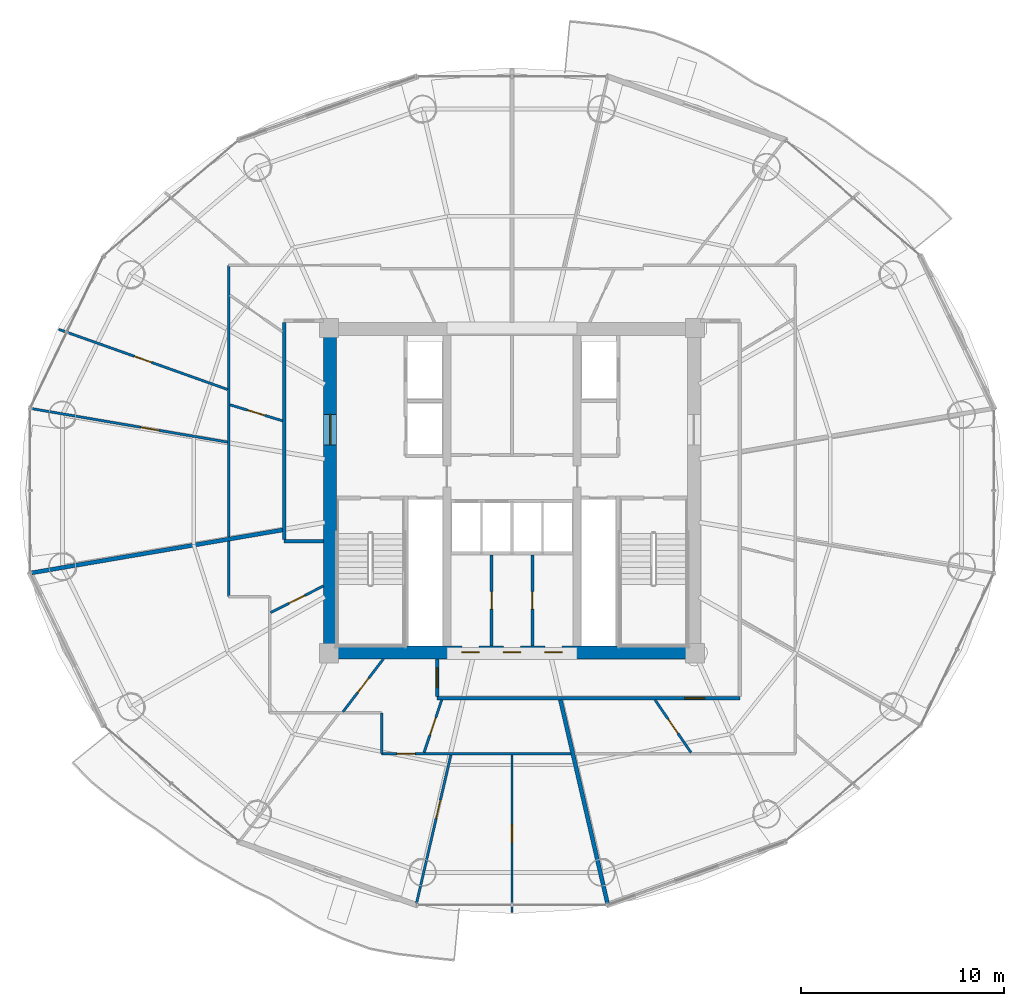
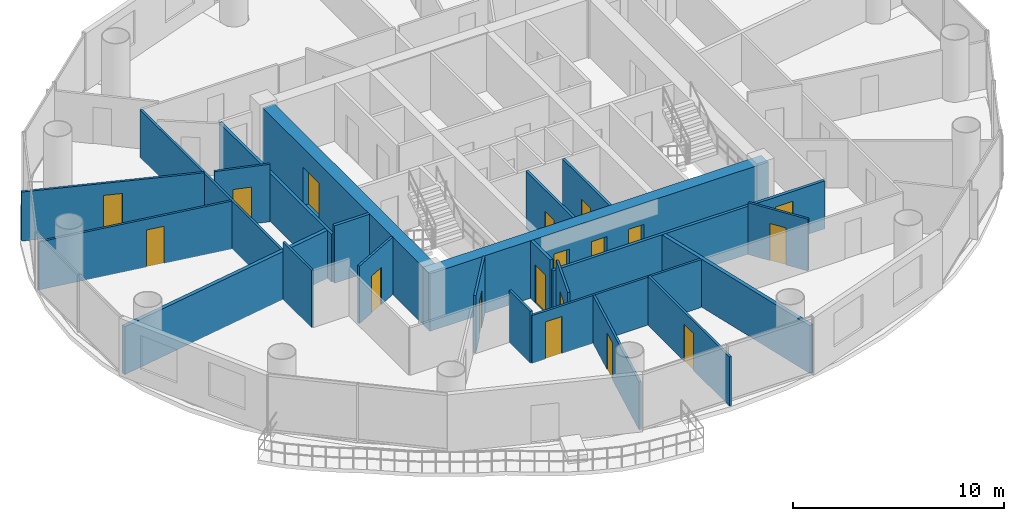
# One storey, part 20 of 26: 23 walls, 18 doors, 18 openings.
"""IFC4 building model written with IfcOpenShell, lengths in metres."""

from ifc_helpers import new_model, si_unit, direction, frame, frame_2d, origin, place, context, subcontext, project, spatial, rectangle, extrude, source, transform, mapped, material, layer, layer_set, type_object, element, fill, save


model = new_model("IFC4")

# Units and contexts
model_context = context("Model", 3, precision=1e-05, world=origin(), true_north=direction((-0.2419218956, 0.970295726276)))
body_context = subcontext(model_context, "Body", "Model", "MODEL_VIEW")
ifc_project = project(units=[si_unit("LENGTHUNIT", "METRE"), si_unit("AREAUNIT", "SQUARE_METRE"), si_unit("VOLUMEUNIT", "CUBIC_METRE"), si_unit("PLANEANGLEUNIT", "RADIAN"), si_unit("MASSUNIT", "GRAM", prefix="KILO")], contexts=[model_context])

# Site, building, storey
site_placement = place(None, origin())
site = spatial("IfcSite", under=ifc_project, at=site_placement, CompositionType="ELEMENT")
building_placement = place(site_placement, origin())
building = spatial("IfcBuilding", under=site, at=building_placement, Name="Cobrevalo Terracotta Tower", CompositionType="ELEMENT")
storey_placement = place(building_placement, frame((0.0, 0.0, 142.60009765625)))
storey = spatial("IfcBuildingStorey", under=building, at=storey_placement, Name="L37", CompositionType="ELEMENT", Elevation=142.60009765625)

# Wall, openings, doors
ifc_material_1 = material(Name="Concrete C55", Category="concrete")
ifc_layer_1 = layer(ifc_material_1, 0.64990234375)
ifc_layer_set_1 = layer_set([ifc_layer_1], Name="Concrete C55")
wall_type_1 = type_object("IfcWallType", Name="Core shear wall 650 mm Concrete C55", PredefinedType="SHEAR", material=ifc_layer_set_1)
wall_1_placement = place(storey_placement, frame((28.72509765625, 18.85009765625, 0.0), z_axis=(0.0, 0.0, 1.0), x_axis=(1.0, 0.0, 0.0)))
wall_1 = element("IfcWall", 1, at=wall_1_placement, inside=storey, type_object=wall_type_1, Name="L37 south core shear wall", PredefinedType="SHEAR", context=body_context, shape_type="SweptSolid", body=[
    extrude(rectangle(XDim=18.5498046875, YDim=0.64990234375, at=frame_2d((9.27490234375, 0.0))), origin(), (0.0, 0.0, 1.0), 3.329833984375),
])
opening_1_placement = place(wall_1_placement, frame((6.81005859375, 0.0, 0.0)))
opening_1 = element("IfcOpeningElement", 2, at=opening_1_placement, cuts=wall_1, Name="Opening ID-22", PredefinedType="OPENING", context=body_context, shape_type="SweptSolid", body=[
    extrude(rectangle(XDim=0.85009765625, YDim=2.10009765625, at=frame_2d((0.425048828125, 1.050048828125))), frame((0.0, 0.3349609375, 0.0), z_axis=(0.0, -1.0, 0.0), x_axis=(1.0, 0.0, 0.0)), (0.0, 0.0, 1.0), 0.669921875),
])
opening_2_placement = place(wall_1_placement, frame((8.85009765625, 0.0, 0.0)))
opening_2 = element("IfcOpeningElement", 3, at=opening_2_placement, cuts=wall_1, Name="Opening ID-22", PredefinedType="OPENING", context=body_context, shape_type="SweptSolid", body=[
    extrude(rectangle(XDim=0.85009765625, YDim=2.10009765625, at=frame_2d((0.425048828125, 1.050048828125))), frame((0.0, 0.3349609375, 0.0), z_axis=(0.0, -1.0, 0.0), x_axis=(1.0, 0.0, 0.0)), (0.0, 0.0, 1.0), 0.669921875),
])
opening_3_placement = place(wall_1_placement, frame((10.889892578125, 0.0, 0.0)))
opening_3 = element("IfcOpeningElement", 4, at=opening_3_placement, cuts=wall_1, Name="Opening ID-22", PredefinedType="OPENING", context=body_context, shape_type="SweptSolid", body=[
    extrude(rectangle(XDim=0.85009765625, YDim=2.10009765625, at=frame_2d((0.425048828125, 1.050048828125))), frame((0.0, 0.3349609375, 0.0), z_axis=(0.0, -1.0, 0.0), x_axis=(1.0, 0.0, 0.0)), (0.0, 0.0, 1.0), 0.669921875),
])
ifc_material_2 = material(Name="Powder-coated steel", Category="steel")
door_type_1 = type_object("IfcDoorType", Name="Riser shaft & meter closet fire access door 850x2100 EI 60", OperationType="NOTDEFINED", PredefinedType="DOOR", material=ifc_material_2)
shared_shape_1 = source(origin(), body_context, "Body", "SweptSolid", [
    extrude(rectangle(XDim=0.85009765625, YDim=2.10009765625, at=frame_2d((0.425048828125, 1.050048828125))), frame((0.0, 0.02490234375, 0.0), z_axis=(0.0, -1.0, 0.0), x_axis=(1.0, 0.0, 0.0)), (0.0, 0.0, 1.0), 0.050048828125),
])
door_1_placement = place(opening_1_placement, origin())
door_1 = element("IfcDoor", 5, at=door_1_placement, inside=storey, type_object=door_type_1, Name="L37 core south plant door HVAC Supply Air Plant", OperationType="SINGLE_SWING_RIGHT", OverallHeight=2.10009765625, OverallWidth=0.85009765625, PredefinedType="DOOR", context=body_context, shape_type="MappedRepresentation", body=[
    mapped(shared_shape_1, transform((0.0, 0.0, 0.0), scale=1.0)),
])
fill(opening_1, door_1)
door_2_placement = place(opening_2_placement, origin())
door_2 = element("IfcDoor", 6, at=door_2_placement, inside=storey, type_object=door_type_1, Name="L37 core south plant door Refuse Chute Store Room", OperationType="SINGLE_SWING_RIGHT", OverallHeight=2.10009765625, OverallWidth=0.85009765625, PredefinedType="DOOR", context=body_context, shape_type="MappedRepresentation", body=[
    mapped(shared_shape_1, transform((0.0, 0.0, 0.0), scale=1.0)),
])
fill(opening_2, door_2)
door_3_placement = place(opening_3_placement, origin())
door_3 = element("IfcDoor", 7, at=door_3_placement, inside=storey, type_object=door_type_1, Name="L37 core south plant door Hydronic Pump Manifold Plant", OperationType="SINGLE_SWING_RIGHT", OverallHeight=2.10009765625, OverallWidth=0.85009765625, PredefinedType="DOOR", context=body_context, shape_type="MappedRepresentation", body=[
    mapped(shared_shape_1, transform((0.0, 0.0, 0.0), scale=1.0)),
])
fill(opening_3, door_3)

# Wall, opening, door
wall_2_placement = place(storey_placement, frame((29.050048828125, 19.175048828125, 0.0), z_axis=(0.0, 0.0, 1.0), x_axis=(0.0, 1.0, 0.0)))
wall_2 = element("IfcWall", 8, at=wall_2_placement, inside=storey, type_object=wall_type_1, Name="L37 west core shear wall", PredefinedType="SHEAR", context=body_context, shape_type="SweptSolid", body=[
    extrude(rectangle(XDim=15.25, YDim=0.64990234375, at=frame_2d((7.625, 0.0))), origin(), (0.0, 0.0, 1.0), 3.329833984375),
])
opening_4_placement = place(wall_2_placement, frame((9.875, 0.0, 0.0)))
opening_4 = element("IfcOpeningElement", 9, at=opening_4_placement, cuts=wall_2, Name="Opening ID-14", PredefinedType="OPENING", context=body_context, shape_type="SweptSolid", body=[
    extrude(rectangle(XDim=1.5, YDim=2.199951171875, at=frame_2d((0.75, 1.10009765625))), frame((0.0, 0.3349609375, 0.0), z_axis=(0.0, -1.0, 0.0), x_axis=(1.0, 0.0, 0.0)), (0.0, 0.0, 1.0), 0.669921875),
])
ifc_material_3 = material(Name="Galvanized fire-rated steel", Category="steel")
door_type_2 = type_object("IfcDoorType", Name="Core cross-lobby double fire door 1500x2200 EI 90", OperationType="NOTDEFINED", PredefinedType="DOOR", material=ifc_material_3)
shared_shape_2 = source(origin(), body_context, "Body", "SweptSolid", [
    extrude(rectangle(XDim=1.5, YDim=2.199951171875, at=frame_2d((0.75, 1.10009765625))), frame((0.0, 0.02490234375, 0.0), z_axis=(0.0, -1.0, 0.0), x_axis=(1.0, 0.0, 0.0)), (0.0, 0.0, 1.0), 0.050048828125),
])
door_4_placement = place(opening_4_placement, origin())
door_4 = element("IfcDoor", 10, at=door_4_placement, inside=storey, type_object=door_type_2, Name="L37 west firefighting lobby entrance door", OperationType="DOUBLE_DOOR_SINGLE_SWING", OverallHeight=2.199951171875, OverallWidth=1.5, PredefinedType="DOOR", context=body_context, shape_type="MappedRepresentation", body=[
    mapped(shared_shape_2, transform((0.0, 0.0, 0.0), scale=1.0)),
])
fill(opening_4, door_4)

# Walls
ifc_material_4 = material(Name="Gypsum board on steel stud", Category="steel")
ifc_layer_2 = layer(ifc_material_4, 0.159912109375)
ifc_layer_set_2 = layer_set([ifc_layer_2], Name="Gypsum board on steel stud")
wall_type_2 = type_object("IfcWallType", Name="Fire-rated corridor acoustic partition wall 160 mm", PredefinedType="PARTITIONING", material=ifc_layer_set_2)
wall_3_placement = place(storey_placement, frame((26.794921875, 24.39990234375, 0.0), z_axis=(0.0, 0.0, 1.0), x_axis=(0.0, 1.0, 0.0)))
element("IfcWall", 11, at=wall_3_placement, inside=storey, type_object=wall_type_2, Name="L37 interior partition IW-L37-COR-W", PredefinedType="PARTITIONING", context=body_context, shape_type="SweptSolid", body=[
    extrude(rectangle(XDim=10.675048828125, YDim=0.159912109375, at=frame_2d((5.33740234375, 0.0))), origin(), (0.0, 0.0, 1.0), 2.77587890625),
])
wall_4_placement = place(storey_placement, frame((26.794921875, 24.320068359375, 0.0), z_axis=(0.0, 0.0, 1.0), x_axis=(1.0, 0.0, 0.0)))
element("IfcWall", 12, at=wall_4_placement, inside=storey, type_object=wall_type_2, Name="L37 interior partition IW-L37-COR-WS-CAP", PredefinedType="PARTITIONING", context=body_context, shape_type="SweptSolid", body=[
    extrude(rectangle(XDim=1.93017578125, YDim=0.159912109375, at=frame_2d((0.965087890625, 0.0))), origin(), (0.0, 0.0, 1.0), 3.329833984375),
])

# Wall, opening, door
wall_5_placement = place(storey_placement, frame((34.320068359375, 16.594970703125, 0.0), z_axis=(0.0, 0.0, 1.0), x_axis=(1.0, 0.0, 0.0)))
wall_5 = element("IfcWall", 13, at=wall_5_placement, inside=storey, type_object=wall_type_2, Name="L37 interior partition IW-L37-COR-S", PredefinedType="PARTITIONING", context=body_context, shape_type="SweptSolid", body=[
    extrude(rectangle(XDim=14.885009765625, YDim=0.159912109375, at=frame_2d((7.4423828125, 0.0))), origin(), (0.0, 0.0, 1.0), 2.77587890625),
])
opening_5_placement = place(wall_5_placement, frame((12.17431640625, 0.0, 0.0)))
opening_5 = element("IfcOpeningElement", 14, at=opening_5_placement, cuts=wall_5, Name="Opening ID-05", PredefinedType="OPENING", context=body_context, shape_type="SweptSolid", body=[
    extrude(rectangle(XDim=0.97998046875, YDim=2.199951171875, at=frame_2d((0.489990234375, 1.10009765625))), frame((0.0, 0.08984375, 0.0), z_axis=(0.0, -1.0, 0.0), x_axis=(1.0, 0.0, 0.0)), (0.0, 0.0, 1.0), 0.179931640625),
])
ifc_material_5 = material(Name="Solid hardwood timber", Category="wood")
door_type_3 = type_object("IfcDoorType", Name="Residence entrance fire-rated acoustic timber door 980x2200 EI 60", OperationType="NOTDEFINED", PredefinedType="DOOR", material=ifc_material_5)
shared_shape_3 = source(origin(), body_context, "Body", "SweptSolid", [
    extrude(rectangle(XDim=0.97998046875, YDim=2.199951171875, at=frame_2d((0.489990234375, 1.10009765625))), frame((0.0, 0.02490234375, 0.0), z_axis=(0.0, -1.0, 0.0), x_axis=(1.0, 0.0, 0.0)), (0.0, 0.0, 1.0), 0.050048828125),
])
door_5_placement = place(opening_5_placement, origin())
door_5 = element("IfcDoor", 15, at=door_5_placement, inside=storey, type_object=door_type_3, Name="Flat L37D fire-rated apartment entrance door", OperationType="SINGLE_SWING_RIGHT", OverallHeight=2.199951171875, OverallWidth=0.97998046875, PredefinedType="DOOR", context=body_context, shape_type="MappedRepresentation", body=[
    mapped(shared_shape_3, transform((0.0, 0.0, 0.0), scale=1.0)),
])
fill(opening_5, door_5)

wall_6_placement = place(storey_placement, frame((34.320068359375, 16.675048828125, 0.0), z_axis=(0.0, 0.0, 1.0), x_axis=(0.0, 1.0, 0.0)))
wall_6 = element("IfcWall", 16, at=wall_6_placement, inside=storey, type_object=wall_type_2, Name="L37 interior partition IW-L37-COR-SW-CAP", PredefinedType="PARTITIONING", context=body_context, shape_type="SweptSolid", body=[
    extrude(rectangle(XDim=1.849853515625, YDim=0.159912109375, at=frame_2d((0.9248046875, 0.0))), origin(), (0.0, 0.0, 1.0), 3.329833984375),
])
opening_6_placement = place(wall_6_placement, frame((0.43505859375, 0.0, 0.0)))
opening_6 = element("IfcOpeningElement", 17, at=opening_6_placement, cuts=wall_6, Name="Opening ID-05", PredefinedType="OPENING", context=body_context, shape_type="SweptSolid", body=[
    extrude(rectangle(XDim=0.97998046875, YDim=2.199951171875, at=frame_2d((0.489990234375, 1.10009765625))), frame((0.0, 0.08984375, 0.0), z_axis=(0.0, -1.0, 0.0), x_axis=(1.0, 0.0, 0.0)), (0.0, 0.0, 1.0), 0.179931640625),
])
door_6_placement = place(opening_6_placement, origin())
door_6 = element("IfcDoor", 18, at=door_6_placement, inside=storey, type_object=door_type_3, Name="Flat L37C fire-rated apartment entrance door", OperationType="SINGLE_SWING_RIGHT", OverallHeight=2.199951171875, OverallWidth=0.97998046875, PredefinedType="DOOR", context=body_context, shape_type="MappedRepresentation", body=[
    mapped(shared_shape_3, transform((0.0, 0.0, 0.0), scale=1.0)),
])
fill(opening_6, door_6)

# Walls
ifc_material_6 = material(Name="Autoclaved aerated concrete block", Category="concrete")
ifc_layer_3 = layer(ifc_material_6, 0.199951171875)
ifc_layer_set_3 = layer_set([ifc_layer_3], Name="Autoclaved aerated concrete block")
wall_type_3 = type_object("IfcWallType", Name="Fire-rated stair, shaft & demising masonry wall 200 mm", PredefinedType="PARTITIONING", material=ifc_layer_set_3)
wall_7_placement = place(storey_placement, frame((26.715087890625, 24.87060546875, 0.0), z_axis=(0.0, 0.0, 1.0), x_axis=(-0.985700184834, -0.168508592117, 0.0)))
element("IfcWall", 19, at=wall_7_placement, inside=storey, type_object=wall_type_3, Name="L37 interior partition IW-L37-DEM-3", PredefinedType="PARTITIONING", context=body_context, shape_type="SweptSolid", body=[
    extrude(rectangle(XDim=12.519287109375, YDim=0.199951171875, at=frame_2d((6.259765625, 0.0))), origin(), (0.0, 0.0, 1.0), 2.77587890625),
])
wall_8_placement = place(storey_placement, frame((40.380126953125, 16.514892578125, 0.0), z_axis=(0.0, 0.0, 1.0), x_axis=(0.225473598067, -0.974249278457, 0.0)))
element("IfcWall", 20, at=wall_8_placement, inside=storey, type_object=wall_type_3, Name="L37 interior partition IW-L37-DEM-4", PredefinedType="PARTITIONING", context=body_context, shape_type="SweptSolid", body=[
    extrude(rectangle(XDim=10.27783203125, YDim=0.199951171875, at=frame_2d((5.138916015625, 0.0))), origin(), (0.0, 0.0, 1.0), 2.77587890625),
])

# Wall, opening, door
ifc_layer_4 = layer(ifc_material_6, 0.139892578125)
ifc_layer_set_4 = layer_set([ifc_layer_4], Name="Autoclaved aerated concrete block")
wall_type_4 = type_object("IfcWallType", Name="Moisture-resistant wet-room & core service partition 140 mm", PredefinedType="PARTITIONING", material=ifc_layer_set_4)
wall_9_placement = place(storey_placement, frame((37.0, 19.175048828125, 0.0), z_axis=(0.0, 0.0, 1.0), x_axis=(0.0, 1.0, 0.0)))
wall_9 = element("IfcWall", 21, at=wall_9_placement, inside=storey, type_object=wall_type_4, Name="L37 interior partition IW-L37-KVS-V1", PredefinedType="PARTITIONING", context=body_context, shape_type="SweptSolid", body=[
    extrude(rectangle(XDim=4.46484375, YDim=0.139892578125, at=frame_2d((2.232421875, 0.0))), origin(), (0.0, 0.0, 1.0), 3.329833984375),
])
opening_7_placement = place(wall_9_placement, frame((1.8076171875, 0.0, 0.0)))
opening_7 = element("IfcOpeningElement", 22, at=opening_7_placement, cuts=wall_9, Name="Opening ID-22", PredefinedType="OPENING", context=body_context, shape_type="SweptSolid", body=[
    extrude(rectangle(XDim=0.85009765625, YDim=2.10009765625, at=frame_2d((0.425048828125, 1.050048828125))), frame((0.0, 0.080078125, 0.0), z_axis=(0.0, -1.0, 0.0), x_axis=(1.0, 0.0, 0.0)), (0.0, 0.0, 1.0), 0.159912109375),
])
door_7_placement = place(opening_7_placement, origin())
door_7 = element("IfcDoor", 23, at=door_7_placement, inside=storey, type_object=door_type_1, Name="L37 core KVS-V1 inner door", OperationType="SINGLE_SWING_LEFT", OverallHeight=2.10009765625, OverallWidth=0.85009765625, PredefinedType="DOOR", context=body_context, shape_type="MappedRepresentation", body=[
    mapped(shared_shape_1, transform((0.0, 0.0, 0.0), scale=1.0)),
])
fill(opening_7, door_7)

wall_10_placement = place(storey_placement, frame((39.0, 19.175048828125, 0.0), z_axis=(0.0, 0.0, 1.0), x_axis=(0.0, 1.0, 0.0)))
wall_10 = element("IfcWall", 24, at=wall_10_placement, inside=storey, type_object=wall_type_4, Name="L37 interior partition IW-L37-KVS-V2", PredefinedType="PARTITIONING", context=body_context, shape_type="SweptSolid", body=[
    extrude(rectangle(XDim=4.46484375, YDim=0.139892578125, at=frame_2d((2.232421875, 0.0))), origin(), (0.0, 0.0, 1.0), 3.329833984375),
])
opening_8_placement = place(wall_10_placement, frame((1.8076171875, 0.0, 0.0)))
opening_8 = element("IfcOpeningElement", 25, at=opening_8_placement, cuts=wall_10, Name="Opening ID-22", PredefinedType="OPENING", context=body_context, shape_type="SweptSolid", body=[
    extrude(rectangle(XDim=0.85009765625, YDim=2.10009765625, at=frame_2d((0.425048828125, 1.050048828125))), frame((0.0, 0.080078125, 0.0), z_axis=(0.0, -1.0, 0.0), x_axis=(1.0, 0.0, 0.0)), (0.0, 0.0, 1.0), 0.159912109375),
])
door_8_placement = place(opening_8_placement, origin())
door_8 = element("IfcDoor", 26, at=door_8_placement, inside=storey, type_object=door_type_1, Name="L37 core KVS-V2 inner door", OperationType="SINGLE_SWING_LEFT", OverallHeight=2.10009765625, OverallWidth=0.85009765625, PredefinedType="DOOR", context=body_context, shape_type="MappedRepresentation", body=[
    mapped(shared_shape_1, transform((0.0, 0.0, 0.0), scale=1.0)),
])
fill(opening_8, door_8)

# Wall
ifc_layer_5 = layer(ifc_material_4, 0.1201171875)
ifc_layer_set_5 = layer_set([ifc_layer_5], Name="Gypsum board on steel stud")
wall_type_5 = type_object("IfcWallType", Name="Residential internal acoustic stud partition 120 mm", PredefinedType="PARTITIONING", material=ifc_layer_set_5)
wall_11_placement = place(storey_placement, frame((24.06494140625, 24.51953125, 0.0), z_axis=(0.0, 0.0, 1.0), x_axis=(0.0, 1.0, 0.0)))
element("IfcWall", 27, at=wall_11_placement, inside=storey, type_object=wall_type_5, Name="L37 interior partition IW-L37-U2-RING0_0", PredefinedType="PARTITIONING", context=body_context, shape_type="SweptSolid", body=[
    extrude(rectangle(XDim=13.365478515625, YDim=0.1201171875, at=frame_2d((6.6826171875, 0.0))), origin(), (0.0, 0.0, 1.0), 2.77587890625),
])

# Wall, opening, door
wall_12_placement = place(storey_placement, frame((24.006591796875, 31.781982421875, 0.0), z_axis=(0.0, 0.0, 1.0), x_axis=(-0.942077868165, 0.335394231187, 0.0)))
wall_12 = element("IfcWall", 28, at=wall_12_placement, inside=storey, type_object=wall_type_5, Name="L37 interior partition IW-L37-U2-ORAD2", PredefinedType="PARTITIONING", context=body_context, shape_type="SweptSolid", body=[
    extrude(rectangle(XDim=8.816650390625, YDim=0.1201171875, at=frame_2d((4.408203125, 0.0))), origin(), (0.0, 0.0, 1.0), 2.845947265625),
])
opening_9_placement = place(wall_12_placement, frame((3.95849609375, 0.0, 0.0)))
opening_9 = element("IfcOpeningElement", 29, at=opening_9_placement, cuts=wall_12, Name="Opening ID-12", PredefinedType="OPENING", context=body_context, shape_type="SweptSolid", body=[
    extrude(rectangle(XDim=0.89990234375, YDim=2.14990234375, at=frame_2d((0.449951171875, 1.074951171875))), frame((0.0, 0.070068359375, 0.0), z_axis=(0.0, -1.0, 0.0), x_axis=(1.0, 0.0, 0.0)), (0.0, 0.0, 1.0), 0.14013671875),
])
ifc_material_7 = material(Name="Engineered timber", Category="wood")
door_type_4 = type_object("IfcDoorType", Name="Internal residence & suite timber door 900x2150", OperationType="NOTDEFINED", PredefinedType="DOOR", material=ifc_material_7)
shared_shape_4 = source(origin(), body_context, "Body", "SweptSolid", [
    extrude(rectangle(XDim=0.89990234375, YDim=2.14990234375, at=frame_2d((0.449951171875, 1.074951171875))), frame((0.0, 0.02490234375, 0.0), z_axis=(0.0, -1.0, 0.0), x_axis=(1.0, 0.0, 0.0)), (0.0, 0.0, 1.0), 0.050048828125),
])
door_9_placement = place(opening_9_placement, origin())
door_9 = element("IfcDoor", 30, at=door_9_placement, inside=storey, type_object=door_type_4, Name="Flat L37B Principal Guest Bedroom internal door", OperationType="SINGLE_SWING_RIGHT", OverallHeight=2.14990234375, OverallWidth=0.89990234375, PredefinedType="DOOR", context=body_context, shape_type="MappedRepresentation", body=[
    mapped(shared_shape_4, transform((0.0, 0.0, 0.0), scale=1.0)),
])
fill(opening_9, door_9)

wall_13_placement = place(storey_placement, frame((24.00390625, 29.19287109375, 0.0), z_axis=(0.0, 0.0, 1.0), x_axis=(-0.985698378271, 0.168519159369, 0.0)))
wall_13 = element("IfcWall", 31, at=wall_13_placement, inside=storey, type_object=wall_type_5, Name="L37 interior partition IW-L37-U2-ORAD3M1", PredefinedType="PARTITIONING", context=body_context, shape_type="SweptSolid", body=[
    extrude(rectangle(XDim=9.768798828125, YDim=0.1201171875, at=frame_2d((4.88427734375, 0.0))), origin(), (0.0, 0.0, 1.0), 2.77587890625),
])
opening_10_placement = place(wall_13_placement, frame((3.427734375, 0.0, 0.0)))
opening_10 = element("IfcOpeningElement", 32, at=opening_10_placement, cuts=wall_13, Name="Opening ID-12", PredefinedType="OPENING", context=body_context, shape_type="SweptSolid", body=[
    extrude(rectangle(XDim=0.89990234375, YDim=2.14990234375, at=frame_2d((0.449951171875, 1.074951171875))), frame((0.0, 0.070068359375, 0.0), z_axis=(0.0, -1.0, 0.0), x_axis=(1.0, 0.0, 0.0)), (0.0, 0.0, 1.0), 0.14013671875),
])
door_10_placement = place(opening_10_placement, origin())
door_10 = element("IfcDoor", 33, at=door_10_placement, inside=storey, type_object=door_type_4, Name="Flat L37B Penthouse Family Lounge internal door", OperationType="SINGLE_SWING_LEFT", OverallHeight=2.14990234375, OverallWidth=0.89990234375, PredefinedType="DOOR", context=body_context, shape_type="MappedRepresentation", body=[
    mapped(shared_shape_4, transform((0.0, 0.0, 0.0), scale=1.0)),
])
fill(opening_10, door_10)

wall_14_placement = place(storey_placement, frame((26.715087890625, 30.239013671875, 0.0), z_axis=(0.0, 0.0, 1.0), x_axis=(-0.956566832952, 0.291513111361, 0.0)))
wall_14 = element("IfcWall", 34, at=wall_14_placement, inside=storey, type_object=wall_type_5, Name="L37 interior partition IW-L37-U2-IRAD3", PredefinedType="PARTITIONING", context=body_context, shape_type="SweptSolid", body=[
    extrude(rectangle(XDim=2.70849609375, YDim=0.1201171875, at=frame_2d((1.354248046875, 0.0))), origin(), (0.0, 0.0, 1.0), 3.329833984375),
])
opening_11_placement = place(wall_14_placement, frame((0.904296875, 0.0, 0.0)))
opening_11 = element("IfcOpeningElement", 35, at=opening_11_placement, cuts=wall_14, Name="Opening ID-12", PredefinedType="OPENING", context=body_context, shape_type="SweptSolid", body=[
    extrude(rectangle(XDim=0.89990234375, YDim=2.14990234375, at=frame_2d((0.449951171875, 1.074951171875))), frame((0.0, 0.070068359375, 0.0), z_axis=(0.0, -1.0, 0.0), x_axis=(1.0, 0.0, 0.0)), (0.0, 0.0, 1.0), 0.14013671875),
])
door_11_placement = place(opening_11_placement, origin())
door_11 = element("IfcDoor", 36, at=door_11_placement, inside=storey, type_object=door_type_4, Name="Flat L37B Private Library Meeting Room internal door", OperationType="SINGLE_SWING_RIGHT", OverallHeight=2.14990234375, OverallWidth=0.89990234375, PredefinedType="DOOR", context=body_context, shape_type="MappedRepresentation", body=[
    mapped(shared_shape_4, transform((0.0, 0.0, 0.0), scale=1.0)),
])
fill(opening_11, door_11)

wall_15_placement = place(storey_placement, frame((40.8916015625, 13.864990234375, 0.0), z_axis=(0.0, 0.0, 1.0), x_axis=(-1.0, 0.0, 0.0)))
wall_15 = element("IfcWall", 37, at=wall_15_placement, inside=storey, type_object=wall_type_5, Name="L37 interior partition IW-L37-U3-RING0_0", PredefinedType="PARTITIONING", context=body_context, shape_type="SweptSolid", body=[
    extrude(rectangle(XDim=9.301513671875, YDim=0.1201171875, at=frame_2d((4.65087890625, 0.0))), origin(), (0.0, 0.0, 1.0), 2.77587890625),
])
opening_12_placement = place(wall_15_placement, frame((7.652099609375, 0.0, 0.0)))
opening_12 = element("IfcOpeningElement", 38, at=opening_12_placement, cuts=wall_15, Name="Opening ID-12", PredefinedType="OPENING", context=body_context, shape_type="SweptSolid", body=[
    extrude(rectangle(XDim=0.89990234375, YDim=2.14990234375, at=frame_2d((0.449951171875, 1.074951171875))), frame((0.0, 0.070068359375, 0.0), z_axis=(0.0, -1.0, 0.0), x_axis=(1.0, 0.0, 0.0)), (0.0, 0.0, 1.0), 0.14013671875),
])
door_12_placement = place(opening_12_placement, origin())
door_12 = element("IfcDoor", 39, at=door_12_placement, inside=storey, type_object=door_type_4, Name="Flat L37C Master Bedroom internal door", OperationType="SINGLE_SWING_LEFT", OverallHeight=2.14990234375, OverallWidth=0.89990234375, PredefinedType="DOOR", context=body_context, shape_type="MappedRepresentation", body=[
    mapped(shared_shape_4, transform((0.0, 0.0, 0.0), scale=1.0)),
])
fill(opening_12, door_12)

# Walls
wall_16_placement = place(storey_placement, frame((31.590087890625, 13.864990234375, 0.0), z_axis=(0.0, 0.0, 1.0), x_axis=(0.0, 1.0, 0.0)))
element("IfcWall", 40, at=wall_16_placement, inside=storey, type_object=wall_type_5, Name="L37 interior partition IW-L37-U3-RING1_0", PredefinedType="PARTITIONING", context=body_context, shape_type="SweptSolid", body=[
    extrude(rectangle(XDim=2.010009765625, YDim=0.1201171875, at=frame_2d((1.0048828125, 0.0))), origin(), (0.0, 0.0, 1.0), 3.0048828125),
])
wall_17_placement = place(storey_placement, frame((24.06494140625, 21.590087890625, 0.0), z_axis=(0.0, 0.0, 1.0), x_axis=(0.0, 1.0, 0.0)))
element("IfcWall", 41, at=wall_17_placement, inside=storey, type_object=wall_type_5, Name="L37 interior partition IW-L37-U3-RING5_0", PredefinedType="PARTITIONING", context=body_context, shape_type="SweptSolid", body=[
    extrude(rectangle(XDim=2.7255859375, YDim=0.1201171875, at=frame_2d((1.36279296875, 0.0))), origin(), (0.0, 0.0, 1.0), 3.329833984375),
])

# Wall, opening, door
wall_18_placement = place(storey_placement, frame((34.992431640625, 13.8046875, 0.0), z_axis=(0.0, 0.0, 1.0), x_axis=(-0.225447000045, -0.974255433739, 0.0)))
wall_18 = element("IfcWall", 42, at=wall_18_placement, inside=storey, type_object=wall_type_5, Name="L37 interior partition IW-L37-U3-ORAD2M1", PredefinedType="PARTITIONING", context=body_context, shape_type="SweptSolid", body=[
    extrude(rectangle(XDim=7.495849609375, YDim=0.1201171875, at=frame_2d((3.748046875, 0.0))), origin(), (0.0, 0.0, 1.0), 2.77587890625),
])
opening_13_placement = place(wall_18_placement, frame((2.288818359375, 0.0, 0.0)))
opening_13 = element("IfcOpeningElement", 43, at=opening_13_placement, cuts=wall_18, Name="Opening ID-12", PredefinedType="OPENING", context=body_context, shape_type="SweptSolid", body=[
    extrude(rectangle(XDim=0.89990234375, YDim=2.14990234375, at=frame_2d((0.449951171875, 1.074951171875))), frame((0.0, 0.070068359375, 0.0), z_axis=(0.0, -1.0, 0.0), x_axis=(1.0, 0.0, 0.0)), (0.0, 0.0, 1.0), 0.14013671875),
])
door_13_placement = place(opening_13_placement, origin())
door_13 = element("IfcDoor", 44, at=door_13_placement, inside=storey, type_object=door_type_4, Name="Flat L37C Penthouse Family Lounge internal door", OperationType="SINGLE_SWING_RIGHT", OverallHeight=2.14990234375, OverallWidth=0.89990234375, PredefinedType="DOOR", context=body_context, shape_type="MappedRepresentation", body=[
    mapped(shared_shape_4, transform((0.0, 0.0, 0.0), scale=1.0)),
])
fill(opening_13, door_13)

wall_19_placement = place(storey_placement, frame((38.0, 13.802978515625, 0.0), z_axis=(0.0, 0.0, 1.0), x_axis=(0.0, -1.0, 0.0)))
wall_19 = element("IfcWall", 45, at=wall_19_placement, inside=storey, type_object=wall_type_5, Name="L37 interior partition IW-L37-U3-ORAD2M2", PredefinedType="PARTITIONING", context=body_context, shape_type="SweptSolid", body=[
    extrude(rectangle(XDim=7.742919921875, YDim=0.1201171875, at=frame_2d((3.87158203125, 0.0))), origin(), (0.0, 0.0, 1.0), 2.845947265625),
])
opening_14_placement = place(wall_19_placement, frame((3.42138671875, 0.0, 0.0)))
opening_14 = element("IfcOpeningElement", 46, at=opening_14_placement, cuts=wall_19, Name="Opening ID-12", PredefinedType="OPENING", context=body_context, shape_type="SweptSolid", body=[
    extrude(rectangle(XDim=0.89990234375, YDim=2.14990234375, at=frame_2d((0.449951171875, 1.074951171875))), frame((0.0, 0.070068359375, 0.0), z_axis=(0.0, -1.0, 0.0), x_axis=(1.0, 0.0, 0.0)), (0.0, 0.0, 1.0), 0.14013671875),
])
door_14_placement = place(opening_14_placement, origin())
door_14 = element("IfcDoor", 47, at=door_14_placement, inside=storey, type_object=door_type_4, Name="Flat L37C Penthouse Family Lounge internal door", OperationType="SINGLE_SWING_LEFT", OverallHeight=2.14990234375, OverallWidth=0.89990234375, PredefinedType="DOOR", context=body_context, shape_type="MappedRepresentation", body=[
    mapped(shared_shape_4, transform((0.0, 0.0, 0.0), scale=1.0)),
])
fill(opening_14, door_14)

wall_20_placement = place(storey_placement, frame((28.72314453125, 22.1142578125, 0.0), z_axis=(0.0, 0.0, 1.0), x_axis=(-0.892604354588, -0.450840843504, 0.0)))
wall_20 = element("IfcWall", 48, at=wall_20_placement, inside=storey, type_object=wall_type_5, Name="L37 interior partition IW-L37-U3-IRAD1", PredefinedType="PARTITIONING", context=body_context, shape_type="SweptSolid", body=[
    extrude(rectangle(XDim=2.90478515625, YDim=0.1201171875, at=frame_2d((1.452392578125, 0.0))), origin(), (0.0, 0.0, 1.0), 3.329833984375),
])
opening_15_placement = place(wall_20_placement, frame((1.0224609375, 0.0, 0.0)))
opening_15 = element("IfcOpeningElement", 49, at=opening_15_placement, cuts=wall_20, Name="Opening ID-19", PredefinedType="OPENING", context=body_context, shape_type="SweptSolid", body=[
    extrude(rectangle(XDim=0.860107421875, YDim=2.14990234375, at=frame_2d((0.43017578125, 1.074951171875))), frame((0.0, 0.070068359375, 0.0), z_axis=(0.0, -1.0, 0.0), x_axis=(1.0, 0.0, 0.0)), (0.0, 0.0, 1.0), 0.14013671875),
])
ifc_material_8 = material(Name="Moisture-sealed timber", Category="wood")
door_type_5 = type_object("IfcDoorType", Name="Suite bathroom internal timber door 860x2150", OperationType="NOTDEFINED", PredefinedType="DOOR", material=ifc_material_8)
shared_shape_5 = source(origin(), body_context, "Body", "SweptSolid", [
    extrude(rectangle(XDim=0.860107421875, YDim=2.14990234375, at=frame_2d((0.43017578125, 1.074951171875))), frame((0.0, 0.02490234375, 0.0), z_axis=(0.0, -1.0, 0.0), x_axis=(1.0, 0.0, 0.0)), (0.0, 0.0, 1.0), 0.050048828125),
])
door_15_placement = place(opening_15_placement, frame((0.860107421875, 0.0, 0.0), z_axis=(0.0, 0.0, 1.0), x_axis=(-1.0, 0.0, 0.0)))
door_15 = element("IfcDoor", 50, at=door_15_placement, inside=storey, type_object=door_type_5, Name="Flat L37C Primary Bathroom internal door", OperationType="SINGLE_SWING_RIGHT", OverallHeight=2.14990234375, OverallWidth=0.860107421875, PredefinedType="DOOR", context=body_context, shape_type="MappedRepresentation", body=[
    mapped(shared_shape_5, transform((0.0, 0.0, 0.0), scale=1.0)),
])
fill(opening_15, door_15)

wall_21_placement = place(storey_placement, frame((31.673583984375, 18.52490234375, 0.0), z_axis=(0.0, 0.0, 1.0), x_axis=(-0.607372594471, -0.794417101708, 0.0)))
wall_21 = element("IfcWall", 51, at=wall_21_placement, inside=storey, type_object=wall_type_5, Name="L37 interior partition IW-L37-U3-IRAD2", PredefinedType="PARTITIONING", context=body_context, shape_type="SweptSolid", body=[
    extrude(rectangle(XDim=3.273681640625, YDim=0.1201171875, at=frame_2d((1.63671875, 0.0))), origin(), (0.0, 0.0, 1.0), 3.329833984375),
])
opening_16_placement = place(wall_21_placement, frame((1.18701171875, 0.0, 0.0)))
opening_16 = element("IfcOpeningElement", 52, at=opening_16_placement, cuts=wall_21, Name="Opening ID-12", PredefinedType="OPENING", context=body_context, shape_type="SweptSolid", body=[
    extrude(rectangle(XDim=0.89990234375, YDim=2.14990234375, at=frame_2d((0.449951171875, 1.074951171875))), frame((0.0, 0.070068359375, 0.0), z_axis=(0.0, -1.0, 0.0), x_axis=(1.0, 0.0, 0.0)), (0.0, 0.0, 1.0), 0.14013671875),
])
door_16_placement = place(opening_16_placement, frame((0.89990234375, 0.0, 0.0), z_axis=(0.0, 0.0, 1.0), x_axis=(-1.0, 0.0, 0.0)))
door_16 = element("IfcDoor", 53, at=door_16_placement, inside=storey, type_object=door_type_4, Name="Flat L37C Reception Hallway internal door", OperationType="SINGLE_SWING_LEFT", OverallHeight=2.14990234375, OverallWidth=0.89990234375, PredefinedType="DOOR", context=body_context, shape_type="MappedRepresentation", body=[
    mapped(shared_shape_4, transform((0.0, 0.0, 0.0), scale=1.0)),
])
fill(opening_16, door_16)

wall_22_placement = place(storey_placement, frame((34.54541015625, 16.514892578125, 0.0), z_axis=(0.0, 0.0, 1.0), x_axis=(-0.318424178642, -0.947948333221, 0.0)))
wall_22 = element("IfcWall", 54, at=wall_22_placement, inside=storey, type_object=wall_type_5, Name="L37 interior partition IW-L37-U3-IRAD3", PredefinedType="PARTITIONING", context=body_context, shape_type="SweptSolid", body=[
    extrude(rectangle(XDim=2.7333984375, YDim=0.1201171875, at=frame_2d((1.36669921875, 0.0))), origin(), (0.0, 0.0, 1.0), 3.329833984375),
])
opening_17_placement = place(wall_22_placement, frame((0.916748046875, 0.0, 0.0)))
opening_17 = element("IfcOpeningElement", 55, at=opening_17_placement, cuts=wall_22, Name="Opening ID-12", PredefinedType="OPENING", context=body_context, shape_type="SweptSolid", body=[
    extrude(rectangle(XDim=0.89990234375, YDim=2.14990234375, at=frame_2d((0.449951171875, 1.074951171875))), frame((0.0, 0.070068359375, 0.0), z_axis=(0.0, -1.0, 0.0), x_axis=(1.0, 0.0, 0.0)), (0.0, 0.0, 1.0), 0.14013671875),
])
door_17_placement = place(opening_17_placement, origin())
door_17 = element("IfcDoor", 56, at=door_17_placement, inside=storey, type_object=door_type_4, Name="Flat L37C Private Library Meeting Room internal door", OperationType="SINGLE_SWING_RIGHT", OverallHeight=2.14990234375, OverallWidth=0.89990234375, PredefinedType="DOOR", context=body_context, shape_type="MappedRepresentation", body=[
    mapped(shared_shape_4, transform((0.0, 0.0, 0.0), scale=1.0)),
])
fill(opening_17, door_17)

wall_23_placement = place(storey_placement, frame((45.031982421875, 16.514892578125, 0.0), z_axis=(0.0, 0.0, 1.0), x_axis=(0.564486512722, -0.825442291717, 0.0)))
wall_23 = element("IfcWall", 57, at=wall_23_placement, inside=storey, type_object=wall_type_5, Name="L37 interior partition IW-L37-U4-IRAD1", PredefinedType="PARTITIONING", context=body_context, shape_type="SweptSolid", body=[
    extrude(rectangle(XDim=3.148193359375, YDim=0.1201171875, at=frame_2d((1.57421875, 0.0))), origin(), (0.0, 0.0, 1.0), 3.0048828125),
])
opening_18_placement = place(wall_23_placement, frame((1.14404296875, 0.0, 0.0)))
opening_18 = element("IfcOpeningElement", 58, at=opening_18_placement, cuts=wall_23, Name="Opening ID-19", PredefinedType="OPENING", context=body_context, shape_type="SweptSolid", body=[
    extrude(rectangle(XDim=0.860107421875, YDim=2.14990234375, at=frame_2d((0.43017578125, 1.074951171875))), frame((0.0, 0.070068359375, 0.0), z_axis=(0.0, -1.0, 0.0), x_axis=(1.0, 0.0, 0.0)), (0.0, 0.0, 1.0), 0.14013671875),
])
door_18_placement = place(opening_18_placement, frame((0.860107421875, 0.0, 0.0), z_axis=(0.0, 0.0, 1.0), x_axis=(-1.0, 0.0, 0.0)))
door_18 = element("IfcDoor", 59, at=door_18_placement, inside=storey, type_object=door_type_5, Name="Flat L37D Primary Bathroom internal door", OperationType="SINGLE_SWING_LEFT", OverallHeight=2.14990234375, OverallWidth=0.860107421875, PredefinedType="DOOR", context=body_context, shape_type="MappedRepresentation", body=[
    mapped(shared_shape_5, transform((0.0, 0.0, 0.0), scale=1.0)),
])
fill(opening_18, door_18)

save(model, "model.ifc")
